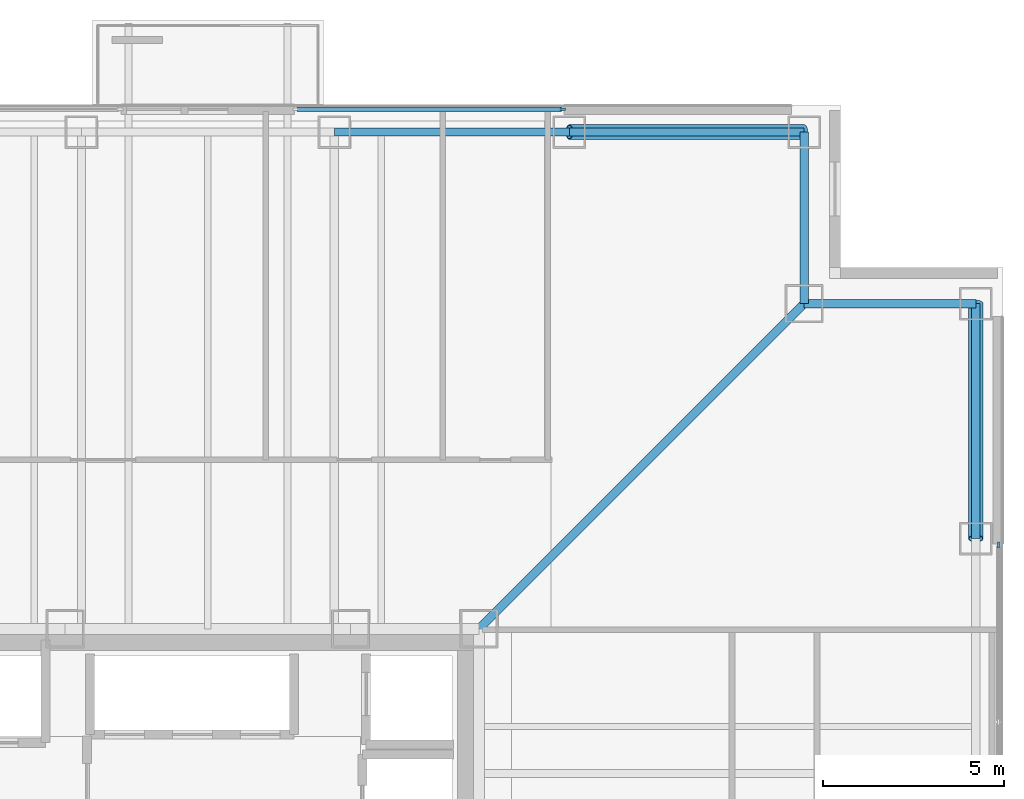
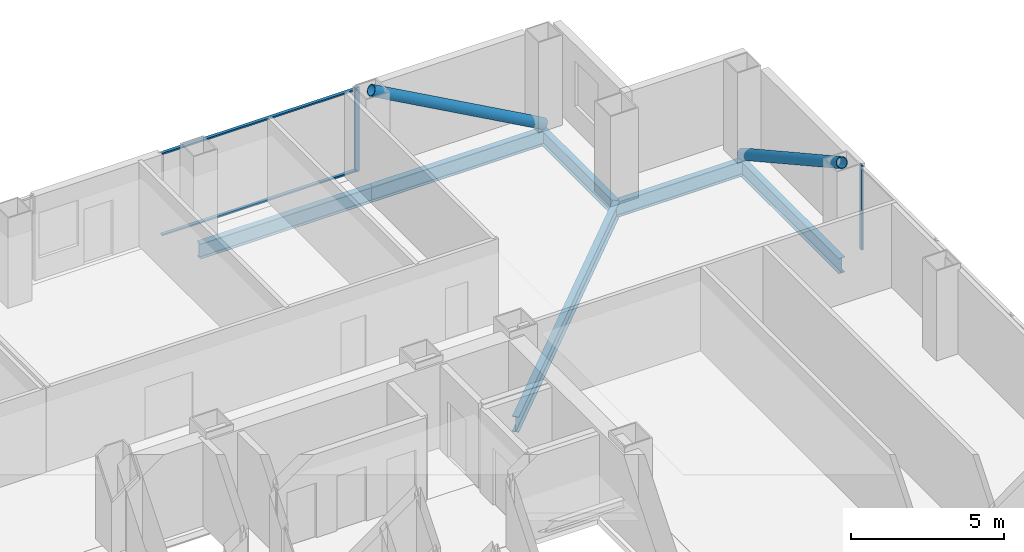
# One storey, part 8 of 14: 6 beams, 6 members, 2 elements without a shape of their own.
"""IFC4 building model written with IfcOpenShell, lengths in metres."""

from ifc_helpers import new_model, si_unit, direction, frame, origin, origin_2d, place, context, subcontext, project, spatial, rectangle, hollow_circle, i_section, extrude, material, layer, layer_set, material_profile, profile_set, type_object, element, aggregate, save


model = new_model("IFC4")

# Units and contexts
model_context = context("Model", 3, precision=1e-05, world=origin(), true_north=direction((0.0, 1.0)))
body_context = subcontext(model_context, "Body", "Model", "MODEL_VIEW")
ifc_project = project(units=[si_unit("LENGTHUNIT", "METRE"), si_unit("AREAUNIT", "SQUARE_METRE"), si_unit("VOLUMEUNIT", "CUBIC_METRE"), si_unit("PLANEANGLEUNIT", "RADIAN"), si_unit("MASSUNIT", "GRAM", prefix="KILO")], contexts=[model_context])

# Site, building, storey
site_placement = place(None, origin())
site = spatial("IfcSite", under=ifc_project, at=site_placement, CompositionType="ELEMENT")
building_placement = place(site_placement, origin())
building = spatial("IfcBuilding", under=site, at=building_placement, Name="Trevonay Congress Spire", CompositionType="ELEMENT")
storey_placement = place(building_placement, frame((0.0, 0.0, 133.60009765625)))
storey = spatial("IfcBuildingStorey", under=building, at=storey_placement, Name="L34", CompositionType="ELEMENT", Elevation=133.60009765625)

# Beams
ifc_material_1 = material(Name="Steel ASTM A572 Grade 50", Category="steel")
ifc_material_profile_1 = material_profile(ifc_material_1, i_section(OverallWidth=0.22998046875, OverallDepth=0.616943359375, WebThickness=0.01318359375, FlangeThickness=0.022216796875, FilletRadius=0.01611328125, at=origin_2d()), Name="W610x140")
ifc_profile_set_1 = profile_set([ifc_material_profile_1], Name="Steel ASTM A572 Grade 50")
beam_type_1 = type_object("IfcBeamType", Name="BM-GIRD-W610X140", PredefinedType="BEAM", material=ifc_profile_set_1)
beam_placement = place(storey_placement, frame((7.5, 7.5, -0.548583984375), z_axis=(0.707106781187, 0.707106781187, 0.0), x_axis=(-0.707106781187, 0.707106781187, 0.0)))
element("IfcBeam", 1, at=beam_placement, inside=storey, type_object=beam_type_1, Name="L34 structural beam BM-L34-CDNE", PredefinedType="BEAM", context=body_context, shape_type="SweptSolid", body=[
    extrude(i_section(OverallWidth=0.22998046875, OverallDepth=0.616943359375, WebThickness=0.01318359375, FlangeThickness=0.022216796875, FilletRadius=0.01611328125, at=origin_2d()), origin(), (0.0, 0.0, 1.0), 12.72802734375),
])
ifc_material_profile_2 = material_profile(ifc_material_1, i_section(OverallWidth=0.22802734375, OverallDepth=0.60791015625, WebThickness=0.01123046875, FlangeThickness=0.017333984375, FilletRadius=0.01611328125, at=origin_2d()), Name="W610x113")
ifc_profile_set_2 = profile_set([ifc_material_profile_2], Name="Steel ASTM A572 Grade 50")
beam_type_2 = type_object("IfcBeamType", Name="BM-RING-W610X113", PredefinedType="BEAM", material=ifc_profile_set_2)
for number, where, z_axis, x_axis, name in (
    (2, (3.5, 21.25, -0.544189453125), (1.0, 0.0, 0.0), (0.0, 1.0, 0.0), "L34 structural beam BM-L34-PN4"),
    (3, (10.0, 21.25, -0.544189453125), (1.0, 0.0, 0.0), (0.0, 1.0, 0.0), "L34 structural beam BM-L34-PN5"),
    (4, (21.25, 10.0, -0.544189453125), (0.0, 1.0, 0.0), (-1.0, 0.0, 0.0), "L34 structural beam BM-L34-PE5"),
):
    element("IfcBeam", number, at=place(storey_placement, frame(where, z_axis=z_axis, x_axis=x_axis)), inside=storey, type_object=beam_type_2, Name=name, PredefinedType="BEAM", context=body_context, shape_type="SweptSolid", body=[
        extrude(i_section(OverallWidth=0.22802734375, OverallDepth=0.60791015625, WebThickness=0.01123046875, FlangeThickness=0.017333984375, FilletRadius=0.01611328125, at=origin_2d()), origin(), (0.0, 0.0, 1.0), 6.5),
    ])
for number, where, z_axis, x_axis, name in (
    (5, (16.5, 21.25, -0.544189453125), (0.0, -1.0, 0.0), (1.0, 0.0, 0.0), "L34 structural beam BM-L34-N1NE"),
    (6, (21.25, 16.5, -0.544189453125), (-1.0, 0.0, 0.0), (0.0, -1.0, 0.0), "L34 structural beam BM-L34-N2NE"),
):
    element("IfcBeam", number, at=place(storey_placement, frame(where, z_axis=z_axis, x_axis=x_axis)), inside=storey, type_object=beam_type_2, Name=name, PredefinedType="BEAM", context=body_context, shape_type="SweptSolid", body=[
        extrude(i_section(OverallWidth=0.22802734375, OverallDepth=0.60791015625, WebThickness=0.01123046875, FlangeThickness=0.017333984375, FilletRadius=0.01611328125, at=origin_2d()), origin(), (0.0, 0.0, 1.0), 4.75),
    ])

# Curtain wall, member
ifc_material_2 = material(Name="Pale Anodised Aluminium EN AW-6063-T6", Category="aluminium")
ifc_layer = layer(ifc_material_2, 0.175048828125, Name="Pale Anodised Aluminium EN AW-6063-T6")
ifc_layer_set = layer_set([ifc_layer], Name="Pale Anodised Aluminium EN AW-6063-T6")
curtain_wall_type = type_object("IfcCurtainWallType", Name="CW-SYS03-CONGRESS-PALE-METAL", PredefinedType="NOTDEFINED", material=ifc_layer_set)
curtain_wall_1_placement = place(storey_placement, origin())
curtain_wall_1 = element("IfcCurtainWall", 7, at=curtain_wall_1_placement, inside=storey, type_object=curtain_wall_type, Name="L34 NB unitised curtain wall", PredefinedType="NOTDEFINED")
ifc_material_profile_3 = material_profile(ifc_material_2, rectangle(XDim=0.06005859375, YDim=0.159912109375, at=origin_2d()), Name="CW-MULLION-160-ALUMINIUM")
ifc_profile_set_3 = profile_set([ifc_material_profile_3], Name="Pale Anodised Aluminium EN AW-6063-T6")
member_type_1 = type_object("IfcMemberType", Name="CW-MULLION-160-ALUMINIUM", PredefinedType="MULLION", material=ifc_profile_set_3)
member_1_placement = place(storey_placement, frame((9.820068359375, 21.8798828125, 0.0), z_axis=(0.0, 0.0, 1.0), x_axis=(0.0, 1.0, 0.0)))
member_1 = element("IfcMember", 8, at=member_1_placement, type_object=member_type_1, Name="CW03 mullion 2", PredefinedType="MULLION", context=body_context, shape_type="SweptSolid", body=[
    extrude(rectangle(XDim=0.06005859375, YDim=0.159912109375, at=origin_2d()), origin(), (0.0, 0.0, 1.0), 3.35986328125),
])

curtain_wall_2_placement = place(storey_placement, origin())
curtain_wall_2 = element("IfcCurtainWall", 9, at=curtain_wall_2_placement, inside=storey, type_object=curtain_wall_type, Name="L34 E unitised curtain wall", PredefinedType="NOTDEFINED")
member_2_placement = place(storey_placement, frame((21.8798828125, 9.820068359375, 0.0), z_axis=(0.0, 0.0, 1.0), x_axis=(-1.0, 0.0, 0.0)))
member_2 = element("IfcMember", 10, at=member_2_placement, type_object=member_type_1, Name="CW03 mullion 5", PredefinedType="MULLION", context=body_context, shape_type="SweptSolid", body=[
    extrude(rectangle(XDim=0.06005859375, YDim=0.159912109375, at=origin_2d()), origin(), (0.0, 0.0, 1.0), 3.35986328125),
])
aggregate(curtain_wall_2, [member_2])

# Member
ifc_material_profile_4 = material_profile(ifc_material_2, rectangle(XDim=0.1201171875, YDim=0.06005859375, at=origin_2d()), Name="CW-TRANSOM-120-ALUMINIUM")
ifc_profile_set_4 = profile_set([ifc_material_profile_4], Name="Pale Anodised Aluminium EN AW-6063-T6")
member_type_2 = type_object("IfcMemberType", Name="CW-TRANSOM-120-ALUMINIUM", PredefinedType="USERDEFINED", material=ifc_profile_set_4)
member_3_placement = place(storey_placement, frame((2.4599609375, 21.8798828125, 0.059814453125), z_axis=(1.0, 0.0, 0.0), x_axis=(0.0, 1.0, 0.0)))
member_3 = element("IfcMember", 11, at=member_3_placement, type_object=member_type_2, Name="CW03 transom 1.1", ObjectType="TRANSOM", PredefinedType="USERDEFINED", context=body_context, shape_type="SweptSolid", body=[
    extrude(rectangle(XDim=0.1201171875, YDim=0.06005859375, at=origin_2d()), origin(), (0.0, 0.0, 1.0), 7.330078125),
])

member_4_placement = place(storey_placement, frame((2.4599609375, 21.8798828125, 3.2998046875), z_axis=(1.0, 0.0, 0.0), x_axis=(0.0, 1.0, 0.0)))
member_4 = element("IfcMember", 12, at=member_4_placement, type_object=member_type_2, Name="CW03 transom 1.2", ObjectType="TRANSOM", PredefinedType="USERDEFINED", context=body_context, shape_type="SweptSolid", body=[
    extrude(rectangle(XDim=0.1201171875, YDim=0.06005859375, at=origin_2d()), origin(), (0.0, 0.0, 1.0), 7.330078125),
])

aggregate(curtain_wall_1, [member_1, member_3, member_4])

# Members
ifc_material_3 = material(Name="Steel ASTM A500 Grade C", Category="steel")
ifc_material_profile_5 = material_profile(ifc_material_3, hollow_circle(Radius=0.203125, WallThickness=0.02001953125, at=origin_2d()), Name="CHS 406.4x20")
ifc_profile_set_5 = profile_set([ifc_material_profile_5], Name="Steel ASTM A500 Grade C")
member_type_3 = type_object("IfcMemberType", Name="MBR-TUBE-CHS406", PredefinedType="BRACE", material=ifc_profile_set_5)
for number, where, z_axis, x_axis, name in (
    (13, (16.5, 21.25, -0.050048828125), (-0.874799711691, 0.0, 0.484484741169), (0.0, -1.0, 0.0), "L34 perimeter braced-tube diagonal N4"),
    (14, (21.25, 16.5, -0.050048828125), (0.0, -0.874799711691, 0.484484741169), (1.0, 0.0, 0.0), "L34 perimeter braced-tube diagonal E4"),
):
    element("IfcMember", number, at=place(storey_placement, frame(where, z_axis=z_axis, x_axis=x_axis)), inside=storey, type_object=member_type_3, Name=name, PredefinedType="BRACE", context=body_context, shape_type="SweptSolid", body=[
        extrude(hollow_circle(Radius=0.203125, WallThickness=0.02001953125, at=origin_2d()), origin(), (0.0, 0.0, 1.0), 7.43017578125),
    ])

save(model, "model.ifc")
